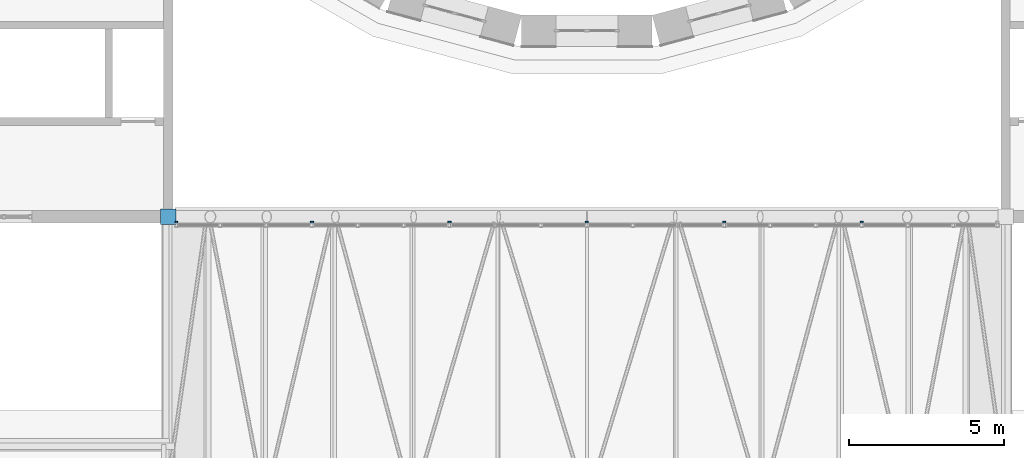
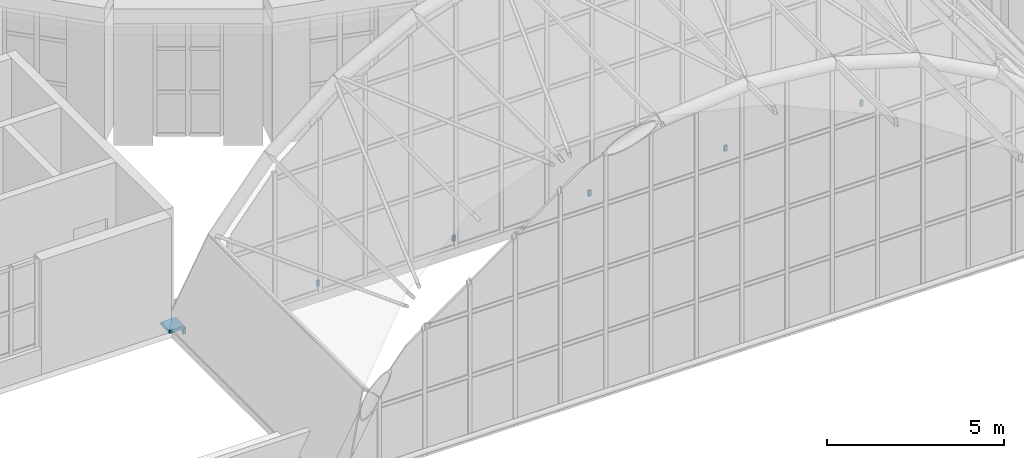
# One storey, part 111 of 121: 7 discrete accessories.
"""IFC4 building model written with IfcOpenShell, lengths in metres."""

from ifc_helpers import new_model, si_unit, direction, frame, origin, origin_2d, place, context, subcontext, project, spatial, rectangle, extrude, material, type_object, element, save


model = new_model("IFC4")

# Units and contexts
model_context = context("Model", 3, precision=1e-05, world=origin(), true_north=direction((0.0, 1.0)))
body_context = subcontext(model_context, "Body", "Model", "MODEL_VIEW")
ifc_project = project(units=[si_unit("LENGTHUNIT", "METRE"), si_unit("AREAUNIT", "SQUARE_METRE"), si_unit("VOLUMEUNIT", "CUBIC_METRE"), si_unit("PLANEANGLEUNIT", "RADIAN"), si_unit("MASSUNIT", "GRAM", prefix="KILO")], contexts=[model_context])

# Site, building, storey
site_placement = place(None, origin())
site = spatial("IfcSite", under=ifc_project, at=site_placement, CompositionType="ELEMENT")
building_placement = place(site_placement, origin())
building = spatial("IfcBuilding", under=site, at=building_placement, Name="Golden Quay Civic Hall", CompositionType="ELEMENT")
storey_placement = place(building_placement, frame((0.0, 0.0, 18.60009765625)))
storey = spatial("IfcBuildingStorey", under=building, at=storey_placement, Name="L04", CompositionType="ELEMENT", Elevation=18.60009765625)

# Discrete accessories
ifc_material_1 = material(Name="Steel S355", Category="steel")
discrete_accessory_type_1 = type_object("IfcDiscreteAccessoryType", Name="Hall screen bracket 100 x 200", PredefinedType="BRACKET", material=ifc_material_1)
discrete_accessory_1_placement = place(storey_placement, frame((72.264892578125, 62.820068359375, -0.21728515625), z_axis=(0.0, 0.0, 1.0), x_axis=(1.0, 0.0, 0.0)))
element("IfcDiscreteAccessory", 1, at=discrete_accessory_1_placement, inside=storey, type_object=discrete_accessory_type_1, Name="Hall screen bracket 0", PredefinedType="BRACKET", context=body_context, shape_type="SweptSolid", body=[
    extrude(rectangle(XDim=0.090087890625, YDim=0.06005859375, at=origin_2d()), origin(), (0.0, 0.0, 1.0), 0.199951171875),
])
for number, where, z_axis, x_axis, name in (
    (2, (76.633056640625, 62.820068359375, -0.10009765625), (0.0, 0.0, 1.0), (1.0, 0.0, 0.0), "Hall screen bracket 3"),
    (3, (81.06689453125, 62.820068359375, -0.10009765625), (0.0, 0.0, 1.0), (1.0, 0.0, 0.0), "Hall screen bracket 6"),
    (4, (85.5, 62.820068359375, -0.10009765625), (0.0, 0.0, 1.0), (1.0, 0.0, 0.0), "Hall screen bracket 9"),
    (5, (89.93310546875, 62.820068359375, -0.10009765625), (0.0, 0.0, 1.0), (1.0, 0.0, 0.0), "Hall screen bracket 12"),
    (6, (94.366943359375, 62.820068359375, -0.10009765625), (0.0, 0.0, 1.0), (1.0, 0.0, 0.0), "Hall screen bracket 15"),
):
    element("IfcDiscreteAccessory", number, at=place(storey_placement, frame(where, z_axis=z_axis, x_axis=x_axis)), inside=storey, type_object=discrete_accessory_type_1, Name=name, PredefinedType="BRACKET", context=body_context, shape_type="SweptSolid", body=[
        extrude(rectangle(XDim=0.10009765625, YDim=0.06005859375, at=origin_2d()), origin(), (0.0, 0.0, 1.0), 0.199951171875),
    ])
ifc_material_2 = material(Name="Steel S355", Category="steel")
discrete_accessory_type_2 = type_object("IfcDiscreteAccessoryType", Name="Steel bearing shoe 500x500x100", PredefinedType="BRACKET", material=ifc_material_2)
discrete_accessory_2_placement = place(storey_placement, frame((72.0, 63.0, -0.000244140625), z_axis=(0.0, 0.0, 1.0), x_axis=(1.0, 0.0, 0.0)))
element("IfcDiscreteAccessory", 7, at=discrete_accessory_2_placement, inside=storey, type_object=discrete_accessory_type_2, Name="Bearing shoe 8", PredefinedType="BRACKET", context=body_context, shape_type="SweptSolid", body=[
    extrude(rectangle(XDim=0.5, YDim=0.5, at=origin_2d()), origin(), (0.0, 0.0, 1.0), 0.10009765625),
])

save(model, "model.ifc")
